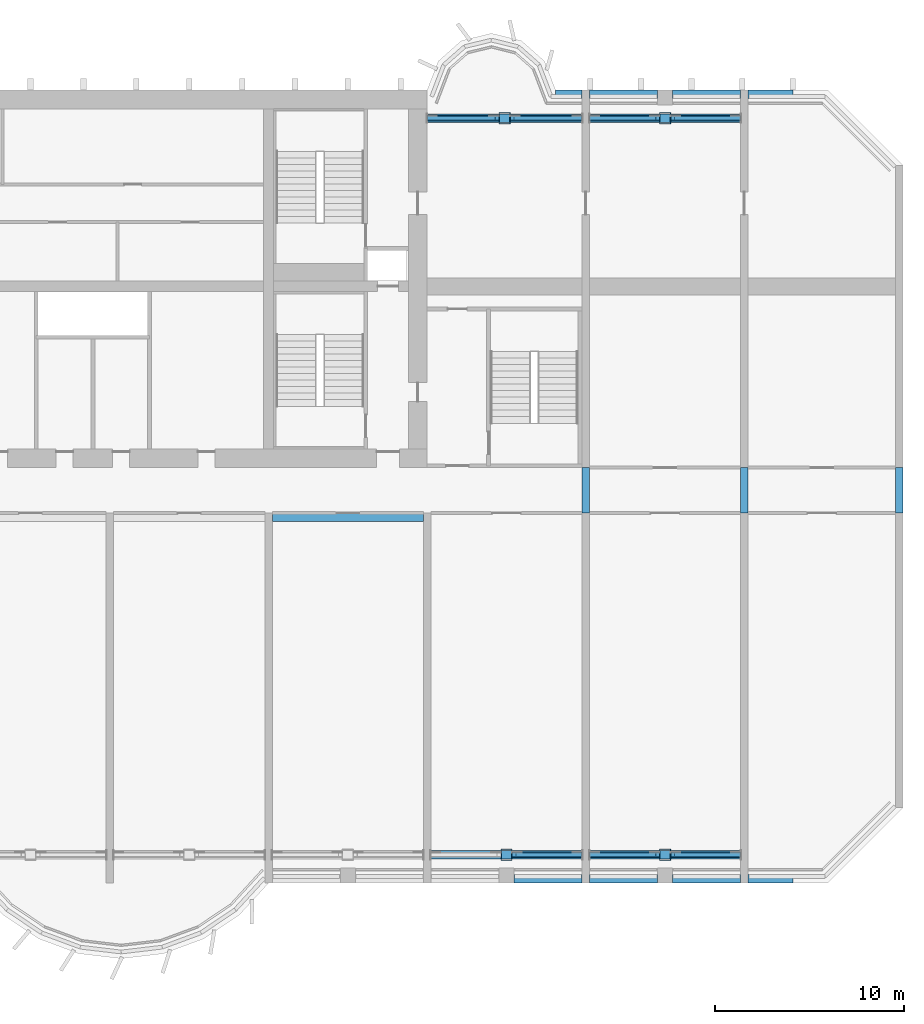
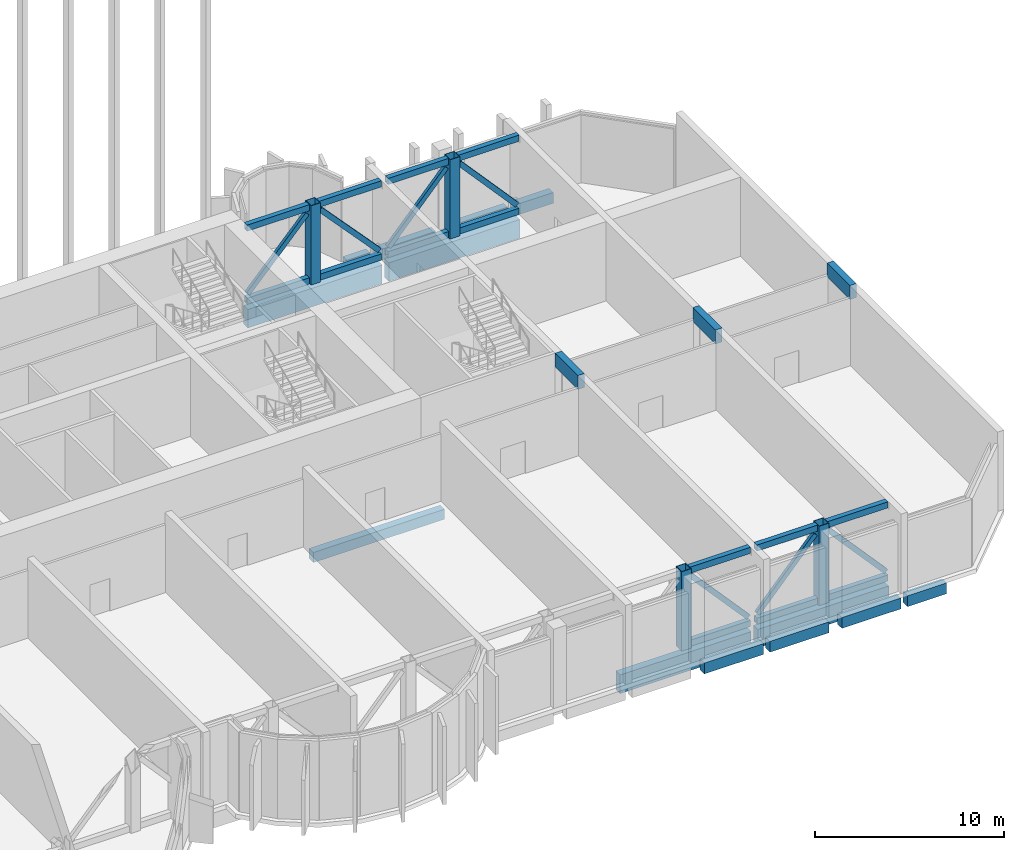
# One storey, part 3 of 17: 25 members, 16 beams.
"""IFC4 building model written with IfcOpenShell, lengths in metres."""

from ifc_helpers import new_model, si_unit, direction, frame, origin, origin_2d, place, context, subcontext, project, spatial, rectangle, hollow_rectangle, extrude, source, transform, mapped, material, material_profile, profile_set, type_object, element, save


model = new_model("IFC4")

# Units and contexts
model_context = context("Model", 3, precision=1e-05, world=origin(), true_north=direction((0.0, 1.0)))
body_context = subcontext(model_context, "Body", "Model", "MODEL_VIEW")
ifc_project = project(units=[si_unit("LENGTHUNIT", "METRE"), si_unit("AREAUNIT", "SQUARE_METRE"), si_unit("VOLUMEUNIT", "CUBIC_METRE"), si_unit("PLANEANGLEUNIT", "RADIAN"), si_unit("MASSUNIT", "GRAM", prefix="KILO")], contexts=[model_context])

# Site, building, storey
site_placement = place(None, origin())
site = spatial("IfcSite", under=ifc_project, at=site_placement, CompositionType="ELEMENT")
building_placement = place(site_placement, origin())
building = spatial("IfcBuilding", under=site, at=building_placement, Name="Vanashikhar Sky Hotel", CompositionType="ELEMENT")
storey_placement = place(building_placement, frame((0.0, 0.0, 81.0)))
storey = spatial("IfcBuildingStorey", under=building, at=storey_placement, Name="L19", CompositionType="ELEMENT", Elevation=81.0)

# Beams
ifc_material_1 = material(Name="Concrete M50", Category="concrete")
ifc_material_profile_1 = material_profile(ifc_material_1, rectangle(XDim=0.39990234375, YDim=0.89990234375, at=origin_2d()))
ifc_profile_set_1 = profile_set([ifc_material_profile_1], Name="RC 400x900 beam Concrete M50")
beam_type_1 = type_object("IfcBeamType", Name="RC 400x900 beam Concrete M50", PredefinedType="LINTEL", material=ifc_profile_set_1)
shared_shape_1 = source(origin(), body_context, "Body", "SweptSolid", [
    extrude(rectangle(XDim=0.39990234375, YDim=0.89990234375, at=origin_2d()), origin(), (0.0, 0.0, 1.0), 2.39990234375),
])
for number, where, z_axis, x_axis, name in (
    (1, (84.0, 19.60009765625, 4.669921875), (0.0, 1.0, 0.0), (-1.0, 0.0, 0.0), "LB-L19-XW11"),
    (2, (92.39990234375, 19.60009765625, 4.669921875), (0.0, 1.0, 0.0), (-1.0, 0.0, 0.0), "LB-L19-XW12"),
    (3, (100.60009765625, 19.60009765625, 4.669921875), (0.0, 1.0, 0.0), (-1.0, 0.0, 0.0), "LB-L19-XW13"),
):
    element("IfcBeam", number, at=place(storey_placement, frame(where, z_axis=z_axis, x_axis=x_axis)), inside=storey, type_object=beam_type_1, Name=name, PredefinedType="LINTEL", context=body_context, shape_type="MappedRepresentation", body=[
        mapped(shared_shape_1, transform((0.0, 0.0, 0.0), scale=1.0)),
    ])
ifc_material_profile_2 = material_profile(ifc_material_1, rectangle(XDim=0.449951171875, YDim=0.699951171875, at=origin_2d()))
ifc_profile_set_2 = profile_set([ifc_material_profile_2], Name="RC 450x700 beam Concrete M50")
beam_type_2 = type_object("IfcBeamType", Name="RC 450x700 beam Concrete M50", PredefinedType="BEAM", material=ifc_profile_set_2)
shared_shape_2 = source(origin(), body_context, "Body", "SweptSolid", [
    extrude(rectangle(XDim=0.449951171875, YDim=0.699951171875, at=origin_2d()), origin(), (0.0, 0.0, 1.0), 3.599853515625),
])
for number, where, z_axis, x_axis, name in (
    (4, (88.60009765625, 0.22509765625, -0.6298828125), (1.0, 0.0, 0.0), (0.0, 1.0, 0.0), "EB-L19-F13"),
    (5, (88.60009765625, 41.77490234375, -0.6298828125), (1.0, 0.0, 0.0), (0.0, 1.0, 0.0), "EB-L19-R06"),
):
    element("IfcBeam", number, at=place(storey_placement, frame(where, z_axis=z_axis, x_axis=x_axis)), inside=storey, type_object=beam_type_2, Name=name, PredefinedType="BEAM", context=body_context, shape_type="MappedRepresentation", body=[
        mapped(shared_shape_2, transform((0.0, 0.0, 0.0), scale=1.0)),
    ])
shared_shape_3 = source(origin(), body_context, "Body", "SweptSolid", [
    extrude(rectangle(XDim=0.449951171875, YDim=0.699951171875, at=origin_2d()), origin(), (0.0, 0.0, 1.0), 3.60009765625),
])
for number, where, z_axis, x_axis, name in (
    (6, (80.199951171875, 0.22509765625, -0.6298828125), (1.0, 0.0, 0.0), (0.0, 1.0, 0.0), "EB-L19-F11"),
    (7, (84.199951171875, 0.22509765625, -0.6298828125), (1.0, 0.0, 0.0), (0.0, 1.0, 0.0), "EB-L19-F12"),
    (8, (84.199951171875, 41.77490234375, -0.6298828125), (1.0, 0.0, 0.0), (0.0, 1.0, 0.0), "EB-L19-R05"),
):
    element("IfcBeam", number, at=place(storey_placement, frame(where, z_axis=z_axis, x_axis=x_axis)), inside=storey, type_object=beam_type_2, Name=name, PredefinedType="BEAM", context=body_context, shape_type="MappedRepresentation", body=[
        mapped(shared_shape_3, transform((0.0, 0.0, 0.0), scale=1.0)),
    ])
ifc_material_profile_3 = material_profile(ifc_material_1, rectangle(XDim=0.449951171875, YDim=0.699951171875, at=origin_2d()))
ifc_profile_set_3 = profile_set([ifc_material_profile_3], Name="RC 450x700 cantilever beam Concrete M50")
beam_type_3 = type_object("IfcBeamType", Name="RC 450x700 cantilever beam Concrete M50", PredefinedType="SPANDREL", material=ifc_profile_set_3)
shared_shape_4 = source(origin(), body_context, "Body", "SweptSolid", [
    extrude(rectangle(XDim=0.449951171875, YDim=0.699951171875, at=origin_2d()), origin(), (0.0, 0.0, 1.0), 2.3798828125),
])
for number, where, z_axis, x_axis, name in (
    (9, (92.60009765625, 0.22509765625, -0.6298828125), (1.0, 0.0, 0.0), (0.0, 1.0, 0.0), "EB-L19-F14"),
    (10, (92.60009765625, 41.77490234375, -0.6298828125), (1.0, 0.0, 0.0), (0.0, 1.0, 0.0), "EB-L19-R08"),
):
    element("IfcBeam", number, at=place(storey_placement, frame(where, z_axis=z_axis, x_axis=x_axis)), inside=storey, type_object=beam_type_3, Name=name, PredefinedType="SPANDREL", context=body_context, shape_type="MappedRepresentation", body=[
        mapped(shared_shape_4, transform((0.0, 0.0, 0.0), scale=1.0)),
    ])
shared_shape_5 = source(origin(), body_context, "Body", "SweptSolid", [
    extrude(rectangle(XDim=0.449951171875, YDim=0.699951171875, at=origin_2d()), origin(), (0.0, 0.0, 1.0), 1.400146484375),
])
beam_1_placement = place(storey_placement, frame((82.39990234375, 41.77490234375, -0.6298828125), z_axis=(1.0, 0.0, 0.0), x_axis=(0.0, 1.0, 0.0)))
element("IfcBeam", 11, at=beam_1_placement, inside=storey, type_object=beam_type_3, Name="EB-L19-R07", PredefinedType="SPANDREL", context=body_context, shape_type="MappedRepresentation", body=[
    mapped(shared_shape_5, transform((0.0, 0.0, 0.0), scale=1.0)),
])
ifc_material_profile_4 = material_profile(ifc_material_1, rectangle(XDim=0.449951171875, YDim=0.64990234375, at=origin_2d()))
ifc_profile_set_4 = profile_set([ifc_material_profile_4], Name="RC 450x650 beam Concrete M50")
beam_type_4 = type_object("IfcBeamType", Name="RC 450x650 beam Concrete M50", PredefinedType="BEAM", material=ifc_profile_set_4)
shared_shape_6 = source(origin(), body_context, "Body", "SweptSolid", [
    extrude(rectangle(XDim=0.449951171875, YDim=0.64990234375, at=origin_2d()), origin(), (0.0, 0.0, 1.0), 8.0),
])
beam_2_placement = place(storey_placement, frame((67.39990234375, 19.375, -0.60498046875), z_axis=(1.0, 0.0, 0.0), x_axis=(0.0, 1.0, 0.0)))
element("IfcBeam", 12, at=beam_2_placement, inside=storey, type_object=beam_type_4, Name="CB-L19-06", PredefinedType="BEAM", context=body_context, shape_type="MappedRepresentation", body=[
    mapped(shared_shape_6, transform((0.0, 0.0, 0.0), scale=1.0)),
])
ifc_material_profile_5 = material_profile(ifc_material_1, rectangle(XDim=0.449951171875, YDim=1.199951171875, at=origin_2d()))
ifc_profile_set_5 = profile_set([ifc_material_profile_5], Name="RC 450x1200 beam Concrete M50")
beam_type_5 = type_object("IfcBeamType", Name="RC 450x1200 beam Concrete M50", PredefinedType="BEAM", material=ifc_profile_set_5)
shared_shape_7 = source(origin(), body_context, "Body", "SweptSolid", [
    extrude(rectangle(XDim=0.449951171875, YDim=1.199951171875, at=origin_2d()), origin(), (0.0, 0.0, 1.0), 8.0),
])
for number, where, z_axis, x_axis, name in (
    (13, (75.800048828125, 1.5, -0.8798828125), (1.0, 0.0, 0.0), (0.0, 1.0, 0.0), "TG-L19-F09"),
    (14, (84.199951171875, 1.5, -0.8798828125), (1.0, 0.0, 0.0), (0.0, 1.0, 0.0), "TG-L19-F10"),
    (15, (84.199951171875, 40.5, -0.8798828125), (1.0, 0.0, 0.0), (0.0, 1.0, 0.0), "TG-L19-R13"),
):
    element("IfcBeam", number, at=place(storey_placement, frame(where, z_axis=z_axis, x_axis=x_axis)), inside=storey, type_object=beam_type_5, Name=name, PredefinedType="BEAM", context=body_context, shape_type="MappedRepresentation", body=[
        mapped(shared_shape_7, transform((0.0, 0.0, 0.0), scale=1.0)),
    ])

# Members
ifc_material_2 = material(Name="Steel S355", Category="steel")
ifc_material_profile_6 = material_profile(ifc_material_2, hollow_rectangle(XDim=0.60009765625, YDim=0.60009765625, WallThickness=0.030029296875, at=origin_2d()))
ifc_profile_set_6 = profile_set([ifc_material_profile_6], Name="RHS 600x600x30 Steel S355")
member_type_1 = type_object("IfcMemberType", Name="RHS 600x600x30 Steel S355", PredefinedType="POST", material=ifc_profile_set_6)
shared_shape_8 = source(origin(), body_context, "Body", "SweptSolid", [
    extrude(hollow_rectangle(XDim=0.60009765625, YDim=0.60009765625, WallThickness=0.030029296875, at=origin_2d()), origin(), (0.0, 0.0, 1.0), 5.1201171875),
])
for number, where, z_axis, x_axis, name in (
    (16, (79.800048828125, 1.5, 0.0), (0.0, 0.0, 1.0), (1.0, 0.0, 0.0), "BP-L19-F09"),
    (17, (88.199951171875, 1.5, 0.0), (0.0, 0.0, 1.0), (1.0, 0.0, 0.0), "BP-L19-F10"),
    (18, (88.199951171875, 40.5, 0.0), (0.0, 0.0, 1.0), (1.0, 0.0, 0.0), "BP-L19-R13"),
    (19, (79.699951171875, 40.5, 0.0), (0.0, 0.0, 1.0), (1.0, 0.0, 0.0), "BP-L19-R14"),
):
    element("IfcMember", number, at=place(storey_placement, frame(where, z_axis=z_axis, x_axis=x_axis)), inside=storey, type_object=member_type_1, Name=name, PredefinedType="POST", context=body_context, shape_type="MappedRepresentation", body=[
        mapped(shared_shape_8, transform((0.0, 0.0, 0.0), scale=1.0)),
    ])
ifc_material_profile_7 = material_profile(ifc_material_2, hollow_rectangle(XDim=0.300048828125, YDim=0.39990234375, WallThickness=0.01611328125, at=origin_2d()))
ifc_profile_set_7 = profile_set([ifc_material_profile_7], Name="RHS 400x300x16 Steel S355")
member_type_2 = type_object("IfcMemberType", Name="RHS 400x300x16 Steel S355", PredefinedType="CHORD", material=ifc_profile_set_7)
shared_shape_9 = source(origin(), body_context, "Body", "SweptSolid", [
    extrude(hollow_rectangle(XDim=0.300048828125, YDim=0.39990234375, WallThickness=0.01611328125, at=origin_2d()), origin(), (0.0, 0.0, 1.0), 3.699951171875),
])
for number, where, z_axis, x_axis, name in (
    (20, (80.10009765625, 1.5, 0.199951171875), (1.0, 0.0, 0.0), (0.0, 1.0, 0.0), "BC-L19-F09BR"),
    (21, (80.10009765625, 1.5, 4.919921875), (1.0, 0.0, 0.0), (0.0, 1.0, 0.0), "BC-L19-F09TR"),
    (22, (84.199951171875, 1.5, 0.199951171875), (1.0, 0.0, 0.0), (0.0, 1.0, 0.0), "BC-L19-F10BL"),
    (23, (88.5, 1.5, 0.199951171875), (1.0, 0.0, 0.0), (0.0, 1.0, 0.0), "BC-L19-F10BR"),
    (24, (84.199951171875, 1.5, 4.919921875), (1.0, 0.0, 0.0), (0.0, 1.0, 0.0), "BC-L19-F10TL"),
    (25, (88.5, 1.5, 4.919921875), (1.0, 0.0, 0.0), (0.0, 1.0, 0.0), "BC-L19-F10TR"),
    (26, (84.199951171875, 40.5, 0.199951171875), (1.0, 0.0, 0.0), (0.0, 1.0, 0.0), "BC-L19-R13BL"),
    (27, (88.5, 40.5, 0.199951171875), (1.0, 0.0, 0.0), (0.0, 1.0, 0.0), "BC-L19-R13BR"),
    (28, (84.199951171875, 40.5, 4.919921875), (1.0, 0.0, 0.0), (0.0, 1.0, 0.0), "BC-L19-R13TL"),
    (29, (88.5, 40.5, 4.919921875), (1.0, 0.0, 0.0), (0.0, 1.0, 0.0), "BC-L19-R13TR"),
):
    element("IfcMember", number, at=place(storey_placement, frame(where, z_axis=z_axis, x_axis=x_axis)), inside=storey, type_object=member_type_2, Name=name, PredefinedType="CHORD", context=body_context, shape_type="MappedRepresentation", body=[
        mapped(shared_shape_9, transform((0.0, 0.0, 0.0), scale=1.0)),
    ])
ifc_material_profile_8 = material_profile(ifc_material_2, hollow_rectangle(XDim=0.199951171875, YDim=0.300048828125, WallThickness=0.011962890625, at=origin_2d()))
ifc_profile_set_8 = profile_set([ifc_material_profile_8], Name="RHS 300x200x12 Steel S355")
member_type_3 = type_object("IfcMemberType", Name="RHS 300x200x12 Steel S355", PredefinedType="BRACE", material=ifc_profile_set_8)
shared_shape_10 = source(origin(), body_context, "Body", "SweptSolid", [
    extrude(hollow_rectangle(XDim=0.199951171875, YDim=0.300048828125, WallThickness=0.011962890625, at=origin_2d()), origin(), (0.0, 0.0, 1.0), 5.268310546875),
])
for number, where, z_axis, x_axis, name in (
    (30, (83.7099609375, 1.5, 0.60009765625), (-0.668134797628, 0.0, 0.744040249044), (0.0, -1.0, 0.0), "BD-L19-F09R"),
    (31, (84.2900390625, 1.5, 0.60009765625), (0.668134797628, 0.0, 0.744040249044), (0.0, 1.0, 0.0), "BD-L19-F10L"),
    (32, (92.110107421875, 1.5, 0.60009765625), (-0.668134797628, 0.0, 0.744040249044), (0.0, -1.0, 0.0), "BD-L19-F10R"),
    (33, (84.2900390625, 40.5, 0.60009765625), (0.668134797628, 0.0, 0.744040249044), (0.0, 1.0, 0.0), "BD-L19-R13L"),
    (34, (92.110107421875, 40.5, 0.60009765625), (-0.668134797628, 0.0, 0.744040249044), (0.0, -1.0, 0.0), "BD-L19-R13R"),
):
    element("IfcMember", number, at=place(storey_placement, frame(where, z_axis=z_axis, x_axis=x_axis)), inside=storey, type_object=member_type_3, Name=name, PredefinedType="BRACE", context=body_context, shape_type="MappedRepresentation", body=[
        mapped(shared_shape_10, transform((0.0, 0.0, 0.0), scale=1.0)),
    ])

# Beam
shared_shape_11 = source(origin(), body_context, "Body", "SweptSolid", [
    extrude(rectangle(XDim=0.449951171875, YDim=1.199951171875, at=origin_2d()), origin(), (0.0, 0.0, 1.0), 8.199951171875),
])
beam_3_placement = place(storey_placement, frame((75.60009765625, 40.5, -0.8798828125), z_axis=(1.0, 0.0, 0.0), x_axis=(0.0, 1.0, 0.0)))
element("IfcBeam", 35, at=beam_3_placement, inside=storey, type_object=beam_type_5, Name="TG-L19-R14", PredefinedType="BEAM", context=body_context, shape_type="MappedRepresentation", body=[
    mapped(shared_shape_11, transform((0.0, 0.0, 0.0), scale=1.0)),
])

# Members
shared_shape_12 = source(origin(), body_context, "Body", "SweptSolid", [
    extrude(hollow_rectangle(XDim=0.300048828125, YDim=0.39990234375, WallThickness=0.01611328125, at=origin_2d()), origin(), (0.0, 0.0, 1.0), 3.800048828125),
])
for number, where, z_axis, x_axis, name in (
    (36, (80.0, 40.5, 0.199951171875), (1.0, 0.0, 0.0), (0.0, 1.0, 0.0), "BC-L19-R14BR"),
    (37, (80.0, 40.5, 4.919921875), (1.0, 0.0, 0.0), (0.0, 1.0, 0.0), "BC-L19-R14TR"),
):
    element("IfcMember", number, at=place(storey_placement, frame(where, z_axis=z_axis, x_axis=x_axis)), inside=storey, type_object=member_type_2, Name=name, PredefinedType="CHORD", context=body_context, shape_type="MappedRepresentation", body=[
        mapped(shared_shape_12, transform((0.0, 0.0, 0.0), scale=1.0)),
    ])
shared_shape_13 = source(origin(), body_context, "Body", "SweptSolid", [
    extrude(hollow_rectangle(XDim=0.199951171875, YDim=0.300048828125, WallThickness=0.011962890625, at=origin_2d()), origin(), (0.0, 0.0, 1.0), 5.335693359375),
])
member_1_placement = place(storey_placement, frame((83.7099609375, 40.5, 0.60009765625), z_axis=(-0.678430222212, 0.0, 0.734664844395), x_axis=(0.0, -1.0, 0.0)))
element("IfcMember", 38, at=member_1_placement, inside=storey, type_object=member_type_3, Name="BD-L19-R14R", PredefinedType="BRACE", context=body_context, shape_type="MappedRepresentation", body=[
    mapped(shared_shape_13, transform((0.0, 0.0, 0.0), scale=1.0)),
])
shared_shape_14 = source(origin(), body_context, "Body", "SweptSolid", [
    extrude(hollow_rectangle(XDim=0.199951171875, YDim=0.300048828125, WallThickness=0.011962890625, at=origin_2d()), origin(), (0.0, 0.0, 1.0), 5.3359375),
])
member_2_placement = place(storey_placement, frame((75.68994140625, 40.5, 0.60009765625), z_axis=(0.678454917278, 0.0, 0.734642038833), x_axis=(0.0, 1.0, 0.0)))
element("IfcMember", 39, at=member_2_placement, inside=storey, type_object=member_type_3, Name="BD-L19-R14L", PredefinedType="BRACE", context=body_context, shape_type="MappedRepresentation", body=[
    mapped(shared_shape_14, transform((0.0, 0.0, 0.0), scale=1.0)),
])
shared_shape_15 = source(origin(), body_context, "Body", "SweptSolid", [
    extrude(hollow_rectangle(XDim=0.300048828125, YDim=0.39990234375, WallThickness=0.01611328125, at=origin_2d()), origin(), (0.0, 0.0, 1.0), 3.7998046875),
])
for number, where, z_axis, x_axis, name in (
    (40, (75.60009765625, 40.5, 0.199951171875), (1.0, 0.0, 0.0), (0.0, 1.0, 0.0), "BC-L19-R14BL"),
    (41, (75.60009765625, 40.5, 4.919921875), (1.0, 0.0, 0.0), (0.0, 1.0, 0.0), "BC-L19-R14TL"),
):
    element("IfcMember", number, at=place(storey_placement, frame(where, z_axis=z_axis, x_axis=x_axis)), inside=storey, type_object=member_type_2, Name=name, PredefinedType="CHORD", context=body_context, shape_type="MappedRepresentation", body=[
        mapped(shared_shape_15, transform((0.0, 0.0, 0.0), scale=1.0)),
    ])

save(model, "model.ifc")
